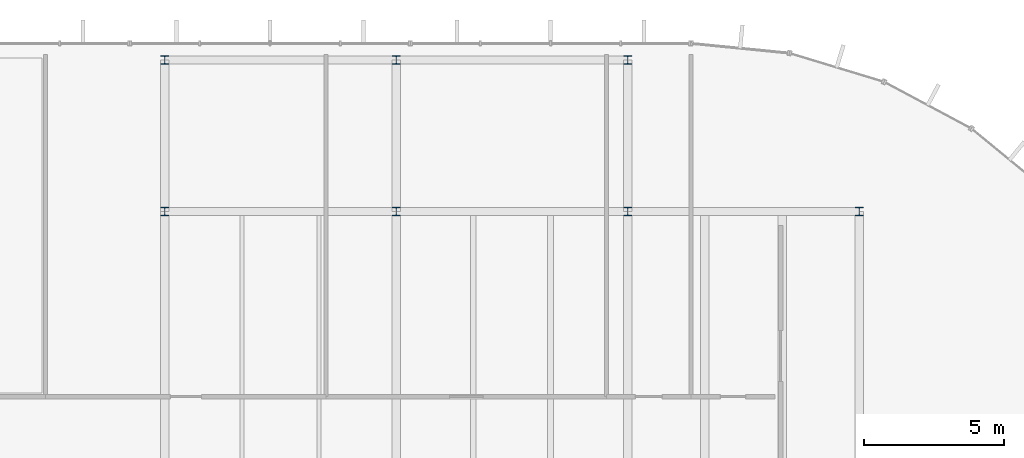
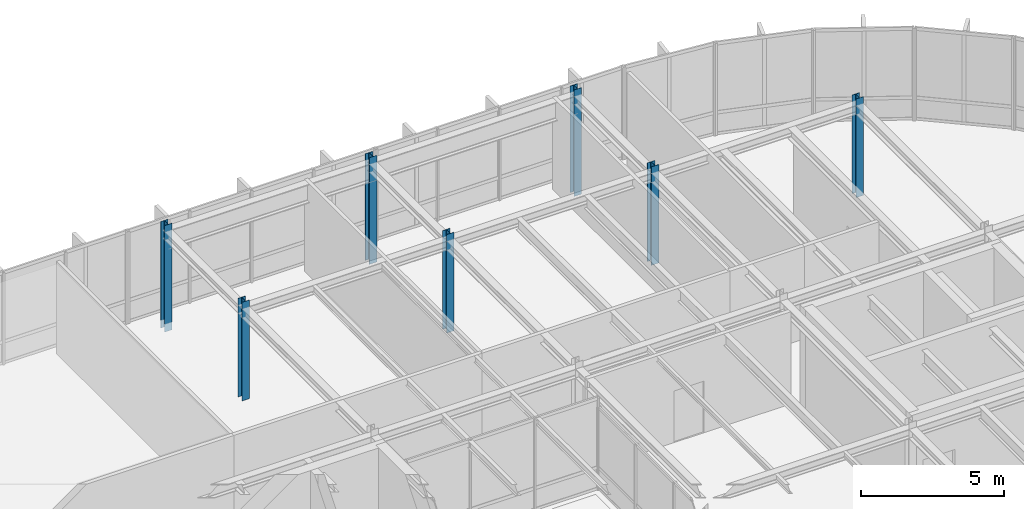
# One storey, part 4 of 21: 7 columns.
"""IFC4 building model written with IfcOpenShell, lengths in metres."""

import ifcopenshell
import ifcopenshell.guid

model = None  # the IFC model being written
_history = None  # IfcOwnerHistory: only IFC2X3 demands one
_inside = {}  # id of a spatial element -> (the spatial element, [elements in it])
_under = {}  # id of a project, library or spatial element -> (it, [spatial elements below it])
_declared = {}  # id of a project -> (the project, [libraries it declares])
_typed = {}  # id of a type object -> (the type object, [elements of that type])
_made_of = {}  # id of a material, layer set ... -> (it, [elements and type objects made of it])


def new_model(schema):
    """Start an empty IFC model of exactly this schema.

    Asked for "IFC4X3", IfcOpenShell would pick the latest addendum, in which some entities
    have other attributes; the version numbers below select the first issue.
    IFC2X3 requires an IfcOwnerHistory on every rooted entity: one is made here for all.
    """
    global model, _history
    if schema == "IFC4X3":
        model = ifcopenshell.file(schema_version=(4, 3, 0, 0))
    else:
        model = ifcopenshell.file(schema=schema)
    _inside.clear()
    _under.clear()
    _declared.clear()
    _typed.clear()
    _made_of.clear()
    _history = None
    if model.schema == "IFC2X3":
        org = make("IfcOrganization", Name="unknown")
        user = make(
            "IfcPersonAndOrganization",
            ThePerson=make("IfcPerson", FamilyName="unknown"),
            TheOrganization=org,
        )
        app = make(
            "IfcApplication",
            ApplicationDeveloper=org,
            Version="unknown",
            ApplicationFullName="unknown",
            ApplicationIdentifier="unknown",
        )
        _history = make(
            "IfcOwnerHistory",
            OwningUser=user,
            OwningApplication=app,
            ChangeAction="ADDED",
            CreationDate=0,
        )
    return model


def make(cls, **values):
    """One entity of the class cls with the attributes given. An attribute that is None is left unset."""
    return model.create_entity(
        cls, **{name: value for name, value in values.items() if value is not None}
    )


def rooted(cls, **values):
    """An entity with a GlobalId (a new one), such as an element, a storey or a relation."""
    return make(cls, GlobalId=ifcopenshell.guid.new(), OwnerHistory=_history, **values)


def si_unit(unit_type, name, prefix=None):
    """IfcSIUnit, for example si_unit("LENGTHUNIT", "METRE", prefix="MILLI")."""
    return make("IfcSIUnit", UnitType=unit_type, Prefix=prefix, Name=name)


def assignment(units):
    """IfcUnitAssignment: the units of a project."""
    return None if units is None else make("IfcUnitAssignment", Units=units)


def point(xyz):
    """IfcCartesianPoint."""
    return None if xyz is None else make("IfcCartesianPoint", Coordinates=xyz)


def direction(xyz):
    """IfcDirection."""
    return None if xyz is None else make("IfcDirection", DirectionRatios=xyz)


def frame(location, z_axis=None, x_axis=None):
    """IfcAxis2Placement3D, a coordinate frame: its origin and axes. An axis left out is left unset."""
    return make(
        "IfcAxis2Placement3D",
        Location=point(location),
        Axis=direction(z_axis),
        RefDirection=direction(x_axis),
    )


def frame_2d(location, x_axis=None):
    """IfcAxis2Placement2D, a coordinate frame in the plane: its origin and x axis."""
    return make(
        "IfcAxis2Placement2D", Location=point(location), RefDirection=direction(x_axis)
    )


def origin():
    """The frame at (0, 0, 0) with its axes left unset."""
    return frame((0.0, 0.0, 0.0))


def origin_2d():
    """The frame at (0, 0) in the plane with its x axis left unset."""
    return frame_2d((0.0, 0.0))


def place(relative_to, where):
    """IfcLocalPlacement: puts the frame where relative to a parent placement (None: the world)."""
    return make(
        "IfcLocalPlacement", PlacementRelTo=relative_to, RelativePlacement=where
    )


def context(
    kind, dimensions, precision=None, world=None, true_north=None, identifier=None
):
    """IfcGeometricRepresentationContext, for example the 3D "Model" context."""
    return make(
        "IfcGeometricRepresentationContext",
        ContextIdentifier=identifier,
        ContextType=kind,
        CoordinateSpaceDimension=dimensions,
        Precision=precision,
        WorldCoordinateSystem=world,
        TrueNorth=true_north,
    )


def subcontext(parent, identifier, kind, view, scale=None):
    """IfcGeometricRepresentationSubContext, for example "Body" below "Model"."""
    return make(
        "IfcGeometricRepresentationSubContext",
        ContextIdentifier=identifier,
        ContextType=kind,
        ParentContext=parent,
        TargetScale=scale,
        TargetView=view,
    )


def project(units=None, contexts=None):
    """IfcProject with its units and contexts."""
    return rooted(
        "IfcProject",
        Name="project",
        RepresentationContexts=contexts,
        UnitsInContext=assignment(units),
    )


def spatial(cls, under=None, at=None, **own):
    """A site, building, storey or space (cls), placed at a placement, below another one or the project."""
    s = rooted(cls, ObjectPlacement=at, **own)
    if under is not None:
        _under.setdefault(under.id(), (under, []))[1].append(s)
    return s


def profile(cls, at=None, kind="AREA", **sizes):
    """A parametric profile (cls). Its sizes go by their IFC names, for example OverallWidth=200.0."""
    return make(cls, ProfileType=kind, Position=at, **sizes)


def i_section(**sizes):
    """IfcIShapeProfileDef."""
    return profile("IfcIShapeProfileDef", **sizes)


def extrude(swept, where, along, depth):
    """IfcExtrudedAreaSolid: the profile swept, set in the frame where, extruded along a direction by depth."""
    return make(
        "IfcExtrudedAreaSolid",
        SweptArea=swept,
        Position=where,
        ExtrudedDirection=direction(along),
        Depth=depth,
    )


def shape(context_of_items, identifier, shape_type, items):
    """IfcShapeRepresentation: the items that make up one representation, for example the "Body"."""
    return make(
        "IfcShapeRepresentation",
        ContextOfItems=context_of_items,
        RepresentationIdentifier=identifier,
        RepresentationType=shape_type,
        Items=items,
    )


def material(Name=None, Category=None):
    """IfcMaterial."""
    return make("IfcMaterial", Name=Name, Category=Category)


def material_profile(
    of_material, cross_section, Name=None, Category=None, Priority=None
):
    """IfcMaterialProfile: a cross section and its material."""
    return make(
        "IfcMaterialProfile",
        Name=Name,
        Material=of_material,
        Profile=cross_section,
        Priority=Priority,
        Category=Category,
    )


def profile_set(profiles, Name=None, composite=None):
    """IfcMaterialProfileSet."""
    return make(
        "IfcMaterialProfileSet",
        Name=Name,
        MaterialProfiles=profiles,
        CompositeProfile=composite,
    )


def made_of(thing, what):
    """Note that an element or type object is made of a material, layer set ...; save() writes the relation."""
    if what is not None:
        _made_of.setdefault(what.id(), (what, []))[1].append(thing)
    return thing


def type_object(cls, material=None, **own):
    """A type object (cls), such as IfcWallType, which elements share."""
    return made_of(rooted(cls, **own), material)


def element(
    cls,
    number,
    at=None,
    inside=None,
    cuts=None,
    type_object=None,
    material=None,
    context=None,
    identifier="Body",
    shape_type=None,
    held_by="IfcProductDefinitionShape",
    body=None,
    shapes=None,
    **own,
):
    """One element of the class cls, such as IfcWall. Its Tag is "e" and its number.

    at: its placement. inside: the storey or other place that contains it. cuts: it is an
    opening in that element (IfcRelVoidsElement). A single representation is given by context,
    identifier, shape_type and body (its items); several are given by shapes. held_by: the class
    of the entity that holds the representations. save() writes the other relations.
    """
    e = rooted(cls, Tag="e%d" % number, ObjectPlacement=at, **own)
    if body is not None:
        shapes = [shape(context, identifier, shape_type, body)]
    if shapes is not None:
        e.Representation = make(held_by, Representations=shapes)
    if inside is not None:
        _inside.setdefault(inside.id(), (inside, []))[1].append(e)
    if cuts is not None:
        rooted(
            "IfcRelVoidsElement", RelatingBuildingElement=cuts, RelatedOpeningElement=e
        )
    if type_object is not None:
        _typed.setdefault(type_object.id(), (type_object, []))[1].append(e)
    return made_of(e, material)


def aggregate(whole, parts):
    """IfcRelAggregates: a whole, such as a stair, and the parts it consists of."""
    return rooted("IfcRelAggregates", RelatingObject=whole, RelatedObjects=parts)


def save(model, path):
    """Write the relations noted so far, then the file.

    IfcRelAggregates (storeys below a building ...), IfcRelContainedInSpatialStructure (elements
    in a storey), IfcRelDefinesByType, IfcRelAssociatesMaterial and IfcRelDeclares: one each for
    every whole, place, type object, material and project.
    """
    for whole, parts in _under.values():
        aggregate(whole, parts)
    for where, things in _inside.values():
        rooted(
            "IfcRelContainedInSpatialStructure",
            RelatedElements=things,
            RelatingStructure=where,
        )
    for kind, things in _typed.values():
        rooted("IfcRelDefinesByType", RelatedObjects=things, RelatingType=kind)
    for what, things in _made_of.values():
        rooted("IfcRelAssociatesMaterial", RelatedObjects=things, RelatingMaterial=what)
    for by, libraries in _declared.values():
        rooted("IfcRelDeclares", RelatingContext=by, RelatedDefinitions=libraries)
    model.write(path)


model = new_model("IFC4")

# Units and contexts
model_context = context("Model", 3, precision=1e-05, world=origin(), true_north=direction((0.0, 1.0)))
body_context = subcontext(model_context, "Body", "Model", "MODEL_VIEW")
ifc_project = project(units=[si_unit("LENGTHUNIT", "METRE"), si_unit("AREAUNIT", "SQUARE_METRE"), si_unit("VOLUMEUNIT", "CUBIC_METRE"), si_unit("PLANEANGLEUNIT", "RADIAN"), si_unit("MASSUNIT", "GRAM", prefix="KILO")], contexts=[model_context])

# Site, building, storey
site_placement = place(None, origin())
site = spatial("IfcSite", under=ifc_project, at=site_placement, CompositionType="ELEMENT")
building_placement = place(site_placement, origin())
building = spatial("IfcBuilding", under=site, at=building_placement, Name="Montealbar Specialist Clinic", CompositionType="ELEMENT")
storey_placement = place(building_placement, frame((0.0, 0.0, 26.39990234375)))
storey = spatial("IfcBuildingStorey", under=building, at=storey_placement, Name="L06", CompositionType="ELEMENT", Elevation=26.39990234375)

# Columns
ifc_material = material(Name="Steel S355", Category="steel")
ifc_material_profile_1 = material_profile(ifc_material, i_section(OverallWidth=0.300048828125, OverallDepth=0.2900390625, WebThickness=0.008544921875, FlangeThickness=0.013916015625, FilletRadius=0.027099609375, at=origin_2d()), Name="HEA 300", Category="steel")
ifc_profile_set_1 = profile_set([ifc_material_profile_1], Name="Steel S355")
column_type_1 = type_object("IfcColumnType", Name="COL-S-L06-STD", PredefinedType="COLUMN", material=ifc_profile_set_1)
for number, where, z_axis, x_axis, name in (
    (1, (74.25, 45.0, 0.0), (0.0, 0.0, 1.0), (1.0, 0.0, 0.0), "Column 10/F L06"),
    (2, (82.5, 45.0, 0.0), (0.0, 0.0, 1.0), (1.0, 0.0, 0.0), "Column 11/F L06"),
    (3, (90.75, 45.0, 0.0), (0.0, 0.0, 1.0), (1.0, 0.0, 0.0), "Column 12/F L06"),
    (4, (99.0, 45.0, 0.0), (0.0, 0.0, 1.0), (1.0, 0.0, 0.0), "Column 13/F L06"),
):
    element("IfcColumn", number, at=place(storey_placement, frame(where, z_axis=z_axis, x_axis=x_axis)), inside=storey, type_object=column_type_1, Name=name, PredefinedType="COLUMN", context=body_context, shape_type="SweptSolid", body=[
        extrude(i_section(OverallWidth=0.300048828125, OverallDepth=0.2900390625, WebThickness=0.008544921875, FlangeThickness=0.013916015625, FilletRadius=0.027099609375, at=origin_2d()), origin(), (0.0, 0.0, 1.0), 4.2001953125),
    ])
ifc_material_profile_2 = material_profile(ifc_material, i_section(OverallWidth=0.300048828125, OverallDepth=0.2900390625, WebThickness=0.008544921875, FlangeThickness=0.013916015625, FilletRadius=0.027099609375, at=origin_2d()), Name="HEA 300", Category="steel")
ifc_profile_set_2 = profile_set([ifc_material_profile_2], Name="Steel S355")
column_type_2 = type_object("IfcColumnType", Name="COL-S-L06-STD-EXT", PredefinedType="COLUMN", material=ifc_profile_set_2)
for number, where, z_axis, x_axis, name in (
    (5, (74.25, 50.39990234375, -0.33984375), (0.0, 0.0, 1.0), (1.0, 0.0, 0.0), "Column 10/F2 L06"),
    (6, (82.5, 50.39990234375, -0.33984375), (0.0, 0.0, 1.0), (1.0, 0.0, 0.0), "Column 11/F2 L06"),
    (7, (90.75, 50.39990234375, -0.33984375), (0.0, 0.0, 1.0), (1.0, 0.0, 0.0), "Column 12/F2 L06"),
):
    element("IfcColumn", number, at=place(storey_placement, frame(where, z_axis=z_axis, x_axis=x_axis)), inside=storey, type_object=column_type_2, Name=name, PredefinedType="COLUMN", context=body_context, shape_type="SweptSolid", body=[
        extrude(i_section(OverallWidth=0.300048828125, OverallDepth=0.2900390625, WebThickness=0.008544921875, FlangeThickness=0.013916015625, FilletRadius=0.027099609375, at=origin_2d()), origin(), (0.0, 0.0, 1.0), 4.5400390625),
    ])

save(model, "model.ifc")
